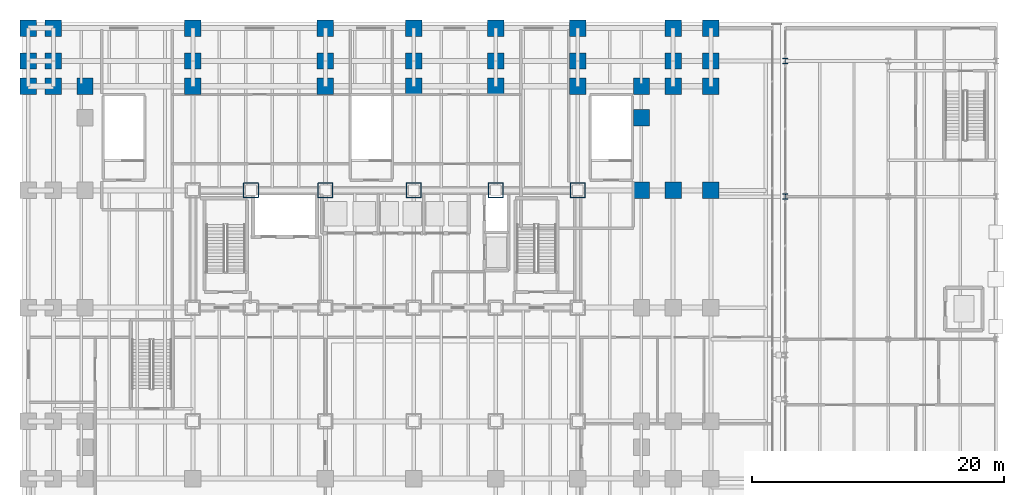
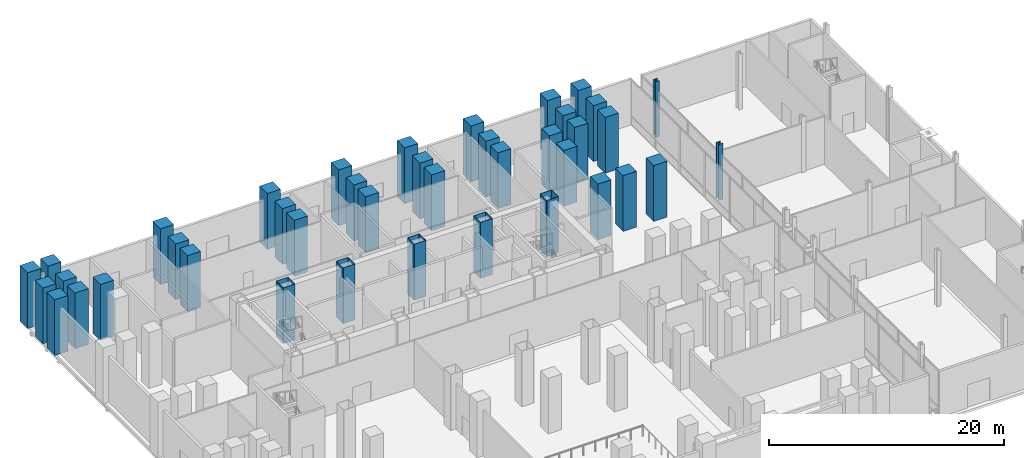
# One storey, part 4 of 36: 40 columns.
"""IFC4 building model written with IfcOpenShell, lengths in metres."""

from ifc_helpers import new_model, si_unit, direction, frame, origin, origin_2d, place, context, subcontext, project, spatial, rectangle, hollow_rectangle, i_section, extrude, material, material_profile, profile_set, type_object, element, save


model = new_model("IFC4")

# Units and contexts
model_context = context("Model", 3, precision=1e-05, world=origin(), true_north=direction((0.0, 1.0)))
body_context = subcontext(model_context, "Body", "Model", "MODEL_VIEW")
ifc_project = project(units=[si_unit("LENGTHUNIT", "METRE"), si_unit("AREAUNIT", "SQUARE_METRE"), si_unit("VOLUMEUNIT", "CUBIC_METRE"), si_unit("PLANEANGLEUNIT", "RADIAN"), si_unit("MASSUNIT", "GRAM", prefix="KILO")], contexts=[model_context])

# Site, building, storey
site_placement = place(None, origin())
site = spatial("IfcSite", under=ifc_project, at=site_placement, CompositionType="ELEMENT")
building_placement = place(site_placement, origin())
building = spatial("IfcBuilding", under=site, at=building_placement, Name="Noeulbin Bourse Tower", CompositionType="ELEMENT")
storey_placement = place(building_placement, origin())
storey = spatial("IfcBuildingStorey", under=building, at=storey_placement, Name="L01", CompositionType="ELEMENT", Elevation=0.0)

# Columns
ifc_material_1 = material(Name="Steel S355", Category="steel")
ifc_material_profile_1 = material_profile(ifc_material_1, i_section(OverallWidth=0.406982421875, OverallDepth=0.427978515625, WebThickness=0.02001953125, FlangeThickness=0.034912109375, FilletRadius=0.02197265625, at=origin_2d()), Name="H-428x407x20x35", Category="LoadBearing")
ifc_profile_set_1 = profile_set([ifc_material_profile_1], Name="Steel S355")
column_type_1 = type_object("IfcColumnType", Name="COL-MKT-ST", PredefinedType="COLUMN", material=ifc_profile_set_1)
for number, where, z_axis, x_axis, name in (
    (1, (60.449951171875, 37.800048828125, 0.0), (0.0, 0.0, 1.0), (1.0, 0.0, 0.0), "Market Hall Column COL-MKT-ST 06"),
    (2, (60.449951171875, 48.550048828125, 0.0), (0.0, 0.0, 1.0), (1.0, 0.0, 0.0), "Market Hall Column COL-MKT-ST 07"),
):
    element("IfcColumn", number, at=place(storey_placement, frame(where, z_axis=z_axis, x_axis=x_axis)), inside=storey, type_object=column_type_1, Name=name, PredefinedType="COLUMN", context=body_context, shape_type="SweptSolid", body=[
        extrude(i_section(OverallWidth=0.406982421875, OverallDepth=0.427978515625, WebThickness=0.02001953125, FlangeThickness=0.034912109375, FilletRadius=0.02197265625, at=origin_2d()), origin(), (0.0, 0.0, 1.0), 5.800048828125),
    ])
ifc_material_2 = material(Name="Concrete C60/75", Category="concrete")
ifc_material_profile_2 = material_profile(ifc_material_2, rectangle(XDim=1.300048828125, YDim=1.300048828125, at=origin_2d()), Name="RC-COL-1300x1300", Category="LoadBearing")
ifc_profile_set_2 = profile_set([ifc_material_profile_2], Name="Concrete C60/75")
column_type_2 = type_object("IfcColumnType", Name="COL-POD-RC", PredefinedType="COLUMN", material=ifc_profile_set_2)
for number, where, z_axis, x_axis, name in (
    (3, (0.449951171875, 46.550048828125, 0.0), (0.0, 0.0, 1.0), (1.0, 0.0, 0.0), "Podium Column COL-POD-RC 07"),
    (4, (0.449951171875, 48.550048828125, 0.0), (0.0, 0.0, 1.0), (1.0, 0.0, 0.0), "Podium Column COL-POD-RC 08"),
    (5, (0.449951171875, 51.14990234375, 0.0), (0.0, 0.0, 1.0), (1.0, 0.0, 0.0), "Podium Column COL-POD-RC 09"),
    (6, (2.449951171875, 46.550048828125, 0.0), (0.0, 0.0, 1.0), (1.0, 0.0, 0.0), "Podium Column COL-POD-RC 16"),
    (7, (2.449951171875, 48.550048828125, 0.0), (0.0, 0.0, 1.0), (1.0, 0.0, 0.0), "Podium Column COL-POD-RC 17"),
    (8, (2.449951171875, 51.14990234375, 0.0), (0.0, 0.0, 1.0), (1.0, 0.0, 0.0), "Podium Column COL-POD-RC 18"),
    (9, (4.949951171875, 46.550048828125, 0.0), (0.0, 0.0, 1.0), (1.0, 0.0, 0.0), "Podium Column COL-POD-RC 25"),
    (10, (13.5, 46.550048828125, 0.0), (0.0, 0.0, 1.0), (1.0, 0.0, 0.0), "Podium Column COL-POD-RC 29"),
    (11, (13.5, 48.550048828125, 0.0), (0.0, 0.0, 1.0), (1.0, 0.0, 0.0), "Podium Column COL-POD-RC 30"),
    (12, (13.5, 51.14990234375, 0.0), (0.0, 0.0, 1.0), (1.0, 0.0, 0.0), "Podium Column COL-POD-RC 31"),
    (13, (24.0, 46.550048828125, 0.0), (0.0, 0.0, 1.0), (1.0, 0.0, 0.0), "Podium Column COL-POD-RC 35"),
    (14, (24.0, 48.550048828125, 0.0), (0.0, 0.0, 1.0), (1.0, 0.0, 0.0), "Podium Column COL-POD-RC 36"),
    (15, (24.0, 51.14990234375, 0.0), (0.0, 0.0, 1.0), (1.0, 0.0, 0.0), "Podium Column COL-POD-RC 37"),
    (16, (31.0, 46.550048828125, 0.0), (0.0, 0.0, 1.0), (1.0, 0.0, 0.0), "Podium Column COL-POD-RC 41"),
    (17, (31.0, 48.550048828125, 0.0), (0.0, 0.0, 1.0), (1.0, 0.0, 0.0), "Podium Column COL-POD-RC 42"),
    (18, (31.0, 51.14990234375, 0.0), (0.0, 0.0, 1.0), (1.0, 0.0, 0.0), "Podium Column COL-POD-RC 43"),
    (19, (37.5, 46.550048828125, 0.0), (0.0, 0.0, 1.0), (1.0, 0.0, 0.0), "Podium Column COL-POD-RC 47"),
    (20, (37.5, 48.550048828125, 0.0), (0.0, 0.0, 1.0), (1.0, 0.0, 0.0), "Podium Column COL-POD-RC 48"),
    (21, (37.5, 51.14990234375, 0.0), (0.0, 0.0, 1.0), (1.0, 0.0, 0.0), "Podium Column COL-POD-RC 49"),
    (22, (44.0, 46.550048828125, 0.0), (0.0, 0.0, 1.0), (1.0, 0.0, 0.0), "Podium Column COL-POD-RC 53"),
    (23, (44.0, 48.550048828125, 0.0), (0.0, 0.0, 1.0), (1.0, 0.0, 0.0), "Podium Column COL-POD-RC 54"),
    (24, (44.0, 51.14990234375, 0.0), (0.0, 0.0, 1.0), (1.0, 0.0, 0.0), "Podium Column COL-POD-RC 55"),
    (25, (49.050048828125, 38.300048828125, 0.0), (0.0, 0.0, 1.0), (1.0, 0.0, 0.0), "Podium Column COL-POD-RC 60"),
    (26, (49.050048828125, 44.050048828125, 0.0), (0.0, 0.0, 1.0), (1.0, 0.0, 0.0), "Podium Column COL-POD-RC 61"),
    (27, (49.050048828125, 46.550048828125, 0.0), (0.0, 0.0, 1.0), (1.0, 0.0, 0.0), "Podium Column COL-POD-RC 62"),
    (28, (51.550048828125, 38.300048828125, 0.0), (0.0, 0.0, 1.0), (1.0, 0.0, 0.0), "Podium Column COL-POD-RC 68"),
    (29, (51.550048828125, 46.550048828125, 0.0), (0.0, 0.0, 1.0), (1.0, 0.0, 0.0), "Podium Column COL-POD-RC 69"),
    (30, (51.550048828125, 48.550048828125, 0.0), (0.0, 0.0, 1.0), (1.0, 0.0, 0.0), "Podium Column COL-POD-RC 70"),
    (31, (51.550048828125, 51.14990234375, 0.0), (0.0, 0.0, 1.0), (1.0, 0.0, 0.0), "Podium Column COL-POD-RC 71"),
    (32, (54.550048828125, 38.300048828125, 0.0), (0.0, 0.0, 1.0), (1.0, 0.0, 0.0), "Podium Column COL-POD-RC 77"),
    (33, (54.550048828125, 46.550048828125, 0.0), (0.0, 0.0, 1.0), (1.0, 0.0, 0.0), "Podium Column COL-POD-RC 78"),
    (34, (54.550048828125, 48.550048828125, 0.0), (0.0, 0.0, 1.0), (1.0, 0.0, 0.0), "Podium Column COL-POD-RC 79"),
    (35, (54.550048828125, 51.14990234375, 0.0), (0.0, 0.0, 1.0), (1.0, 0.0, 0.0), "Podium Column COL-POD-RC 80"),
):
    element("IfcColumn", number, at=place(storey_placement, frame(where, z_axis=z_axis, x_axis=x_axis)), inside=storey, type_object=column_type_2, Name=name, PredefinedType="COLUMN", context=body_context, shape_type="SweptSolid", body=[
        extrude(rectangle(XDim=1.300048828125, YDim=1.300048828125, at=origin_2d()), origin(), (0.0, 0.0, 1.0), 5.800048828125),
    ])
ifc_material_3 = material(Name="Steel S460", Category="steel")
ifc_material_profile_3 = material_profile(ifc_material_3, hollow_rectangle(XDim=1.199951171875, YDim=1.199951171875, WallThickness=0.0400390625, InnerFilletRadius=0.02001953125, OuterFilletRadius=0.06005859375, at=origin_2d()), Name="BOX-1200x1200x40", Category="LoadBearing")
ifc_profile_set_3 = profile_set([ifc_material_profile_3], Name="Steel S460")
column_type_3 = type_object("IfcColumnType", Name="COL-TRK-Z0", PredefinedType="COLUMN", material=ifc_profile_set_3)
for number, where, z_axis, x_axis, name in (
    (36, (18.10009765625, 38.300048828125, 0.0), (0.0, 0.0, 1.0), (1.0, 0.0, 0.0), "Tower Trunk Mega-Column COL-TRK-Z0 04"),
    (37, (24.0, 38.300048828125, 0.0), (0.0, 0.0, 1.0), (1.0, 0.0, 0.0), "Tower Trunk Mega-Column COL-TRK-Z0 06"),
    (38, (31.0, 38.300048828125, 0.0), (0.0, 0.0, 1.0), (1.0, 0.0, 0.0), "Tower Trunk Mega-Column COL-TRK-Z0 08"),
    (39, (37.5, 38.300048828125, 0.0), (0.0, 0.0, 1.0), (1.0, 0.0, 0.0), "Tower Trunk Mega-Column COL-TRK-Z0 10"),
    (40, (44.0, 38.300048828125, 0.0), (0.0, 0.0, 1.0), (1.0, 0.0, 0.0), "Tower Trunk Mega-Column COL-TRK-Z0 12"),
):
    element("IfcColumn", number, at=place(storey_placement, frame(where, z_axis=z_axis, x_axis=x_axis)), inside=storey, type_object=column_type_3, Name=name, PredefinedType="COLUMN", context=body_context, shape_type="SweptSolid", body=[
        extrude(hollow_rectangle(XDim=1.199951171875, YDim=1.199951171875, WallThickness=0.0400390625, InnerFilletRadius=0.02001953125, OuterFilletRadius=0.06005859375, at=origin_2d()), origin(), (0.0, 0.0, 1.0), 5.800048828125),
    ])

save(model, "model.ifc")
